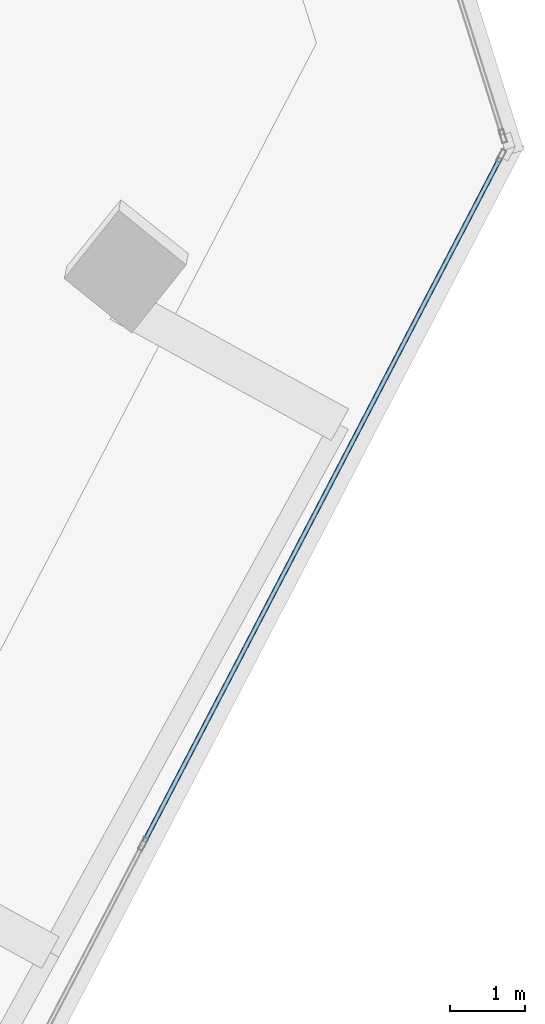
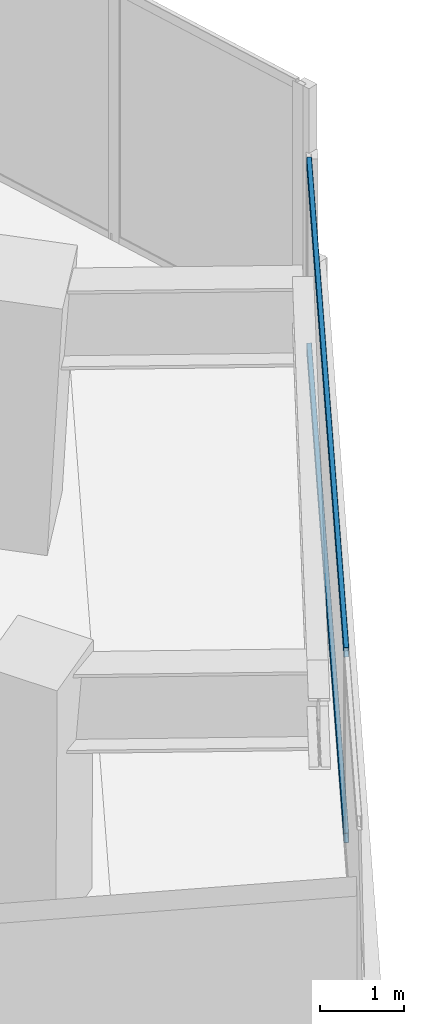
# One storey, part 9 of 22: 2 members, 1 element without a shape of its own.
"""IFC4 building model written with IfcOpenShell, lengths in metres."""

from ifc_helpers import new_model, si_unit, direction, frame, origin, origin_2d, place, context, subcontext, project, spatial, hollow_rectangle, extrude, source, transform, mapped, material, material_profile, profile_set, type_object, element, aggregate, save


model = new_model("IFC4")

# Units and contexts
model_context = context("Model", 3, precision=1e-05, world=origin(), true_north=direction((0.0, 1.0)))
body_context = subcontext(model_context, "Body", "Model", "MODEL_VIEW")
ifc_project = project(units=[si_unit("LENGTHUNIT", "METRE"), si_unit("AREAUNIT", "SQUARE_METRE"), si_unit("VOLUMEUNIT", "CUBIC_METRE"), si_unit("PLANEANGLEUNIT", "RADIAN"), si_unit("MASSUNIT", "GRAM", prefix="KILO")], contexts=[model_context])

# Site, building, storey
site_placement = place(None, origin())
site = spatial("IfcSite", under=ifc_project, at=site_placement, CompositionType="ELEMENT")
building_placement = place(site_placement, origin())
building = spatial("IfcBuilding", under=site, at=building_placement, Name="Torre Montelarca", CompositionType="ELEMENT")
storey_placement = place(building_placement, frame((0.0, 0.0, 170.800048828125)))
storey = spatial("IfcBuildingStorey", under=building, at=storey_placement, Name="L38", CompositionType="ELEMENT", Elevation=170.800048828125)

# Curtain wall, members
ifc_material_1 = material(Name="Insulated low-E laminated glass", Category="glass")
curtain_wall_type = type_object("IfcCurtainWallType", Name="CW-SYS-Z2", PredefinedType="USERDEFINED", material=ifc_material_1)
curtain_wall_placement = place(storey_placement, origin())
curtain_wall = element("IfcCurtainWall", 1, at=curtain_wall_placement, inside=storey, type_object=curtain_wall_type, Name="L38 Curtain Wall Run CW-T3-L38-E06-B1", ObjectType="UNITISED GLAZING", PredefinedType="USERDEFINED")
ifc_material_2 = material(Name="Anodised aluminium AA 6063-T6", Category="aluminium")
ifc_material_profile = material_profile(ifc_material_2, hollow_rectangle(XDim=0.06494140625, YDim=0.139892578125, WallThickness=0.00390625, InnerFilletRadius=0.00390625, OuterFilletRadius=0.008056640625, at=origin_2d()), Name="ALU65X140X4", Category="aluminium")
ifc_profile_set = profile_set([ifc_material_profile], Name="Anodised aluminium AA 6063-T6")
member_type = type_object("IfcMemberType", Name="CWT-ALU140", PredefinedType="USERDEFINED", material=ifc_profile_set)
shared_shape = source(origin(), body_context, "Body", "SweptSolid", [
    extrude(hollow_rectangle(XDim=0.06494140625, YDim=0.139892578125, WallThickness=0.00390625, InnerFilletRadius=0.00390625, OuterFilletRadius=0.008056640625, at=origin_2d()), origin(), (0.0, 0.0, 1.0), 10.23681640625),
])
member_1_placement = place(storey_placement, frame((48.9189453125, 19.1162109375, 0.032470703125), z_axis=(0.461749931551, 0.887010146905, 0.0), x_axis=(-0.887010146905, 0.461749931551, 0.0)))
member_1 = element("IfcMember", 2, at=member_1_placement, type_object=member_type, Name="CW transom 2.1", ObjectType="TRANSOM", PredefinedType="USERDEFINED", context=body_context, shape_type="MappedRepresentation", body=[
    mapped(shared_shape, transform((0.0, 0.0, 0.0), scale=1.0)),
])
member_2_placement = place(storey_placement, frame((48.9189453125, 19.1162109375, 2.742431640625), z_axis=(0.461749931551, 0.887010146905, 0.0), x_axis=(-0.887010146905, 0.461749931551, 0.0)))
member_2 = element("IfcMember", 3, at=member_2_placement, type_object=member_type, Name="CW transom 2.2", ObjectType="TRANSOM", PredefinedType="USERDEFINED", context=body_context, shape_type="MappedRepresentation", body=[
    mapped(shared_shape, transform((0.0, 0.0, 0.0), scale=1.0)),
])
aggregate(curtain_wall, [member_1, member_2])

save(model, "model.ifc")
